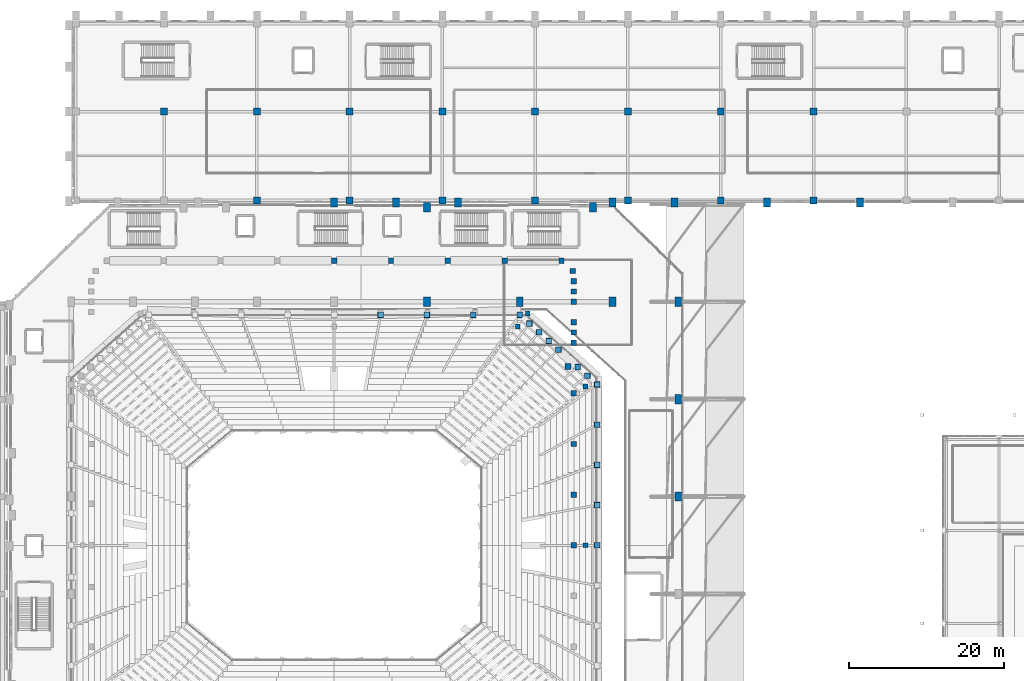
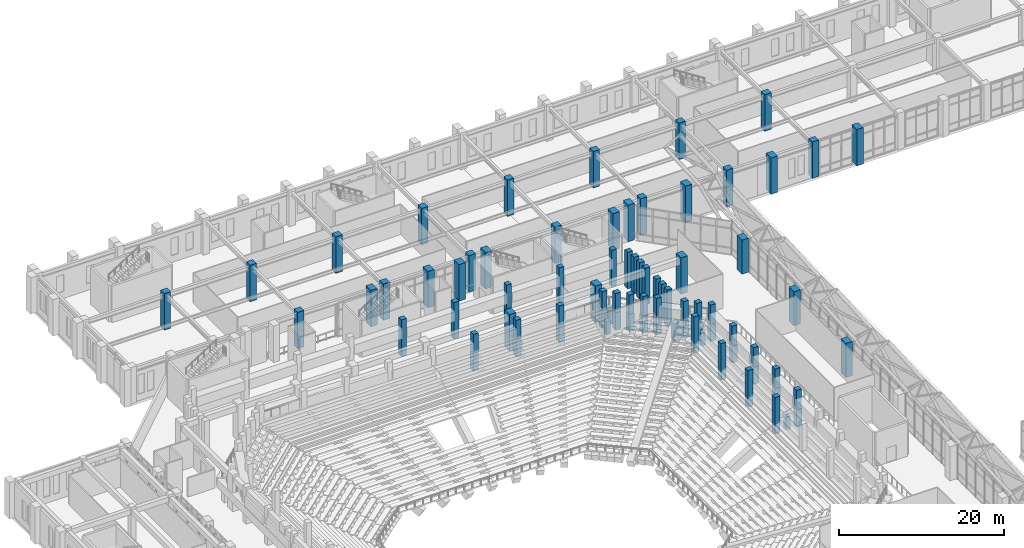
# One storey, part 7 of 159: 81 columns.
"""IFC4 building model written with IfcOpenShell, lengths in metres."""

from ifc_helpers import new_model, si_unit, derived_unit, direction, frame, origin, origin_2d, place, context, subcontext, project, spatial, rectangle, extrude, material, material_profile, profile_set, type_object, element, save


model = new_model("IFC4")

# Units and contexts
model_context = context("Model", 3, precision=1e-05, world=origin(), true_north=direction((0.0, 1.0)))
body_context = subcontext(model_context, "Body", "Model", "MODEL_VIEW")
ifc_project = project(units=[si_unit("LENGTHUNIT", "METRE"), si_unit("AREAUNIT", "SQUARE_METRE"), si_unit("VOLUMEUNIT", "CUBIC_METRE"), si_unit("PLANEANGLEUNIT", "RADIAN"), si_unit("MASSUNIT", "GRAM", prefix="KILO"), derived_unit("THERMALTRANSMITTANCEUNIT", [(si_unit("MASSUNIT", "GRAM", prefix="KILO"), 1), (si_unit("TIMEUNIT", "SECOND"), -3), (si_unit("THERMODYNAMICTEMPERATUREUNIT", "KELVIN"), -1)])], contexts=[model_context])

# Site, building, storey
site_placement = place(None, origin())
site = spatial("IfcSite", under=ifc_project, at=site_placement, CompositionType="ELEMENT")
building_placement = place(site_placement, origin())
building = spatial("IfcBuilding", under=site, at=building_placement, Name="Valcora Ridge Arena", CompositionType="ELEMENT")
storey_placement = place(building_placement, frame((0.0, 0.0, 6.0)))
storey = spatial("IfcBuildingStorey", under=building, at=storey_placement, Name="L01", CompositionType="ELEMENT", Elevation=6.0)

# Columns
ifc_material_1 = material(Name="Bush-hammered Andean travertine architectural concrete C45/55", Category="masonry")
ifc_material_profile_1 = material_profile(ifc_material_1, rectangle(XDim=0.89990234375, YDim=1.199951171875, at=origin_2d()), Name="RC 900x1200")
ifc_profile_set_1 = profile_set([ifc_material_profile_1], Name="Bush-hammered Andean travertine architectural concrete C45/55")
column_type_1 = type_object("IfcColumnType", Name="TY-COLUMN-C-BUTT-1200", PredefinedType="PILASTER", material=ifc_profile_set_1)
for number, where, z_axis, x_axis, name in (
    (1, (70.0, 107.800048828125, 0.0), (0.0, 0.0, 1.0), (1.0, 0.0, 0.0), "C-BUTT-1200 COL-C-BUTT-1200-0027"),
    (2, (91.5, 107.800048828125, 0.0), (0.0, 0.0, 1.0), (1.0, 0.0, 0.0), "C-BUTT-1200 COL-C-BUTT-1200-0031"),
    (3, (58.0, 108.419921875, 0.0), (0.0, 0.0, 1.0), (1.0, 0.0, 0.0), "C-BUTT-1200 COL-C-BUTT-1200-0337"),
    (4, (66.0, 108.419921875, 0.0), (0.0, 0.0, 1.0), (1.0, 0.0, 0.0), "C-BUTT-1200 COL-C-BUTT-1200-0341"),
    (5, (74.0, 108.419921875, 0.0), (0.0, 0.0, 1.0), (1.0, 0.0, 0.0), "C-BUTT-1200 COL-C-BUTT-1200-0345"),
    (6, (94.0, 108.419921875, 0.0), (0.0, 0.0, 1.0), (1.0, 0.0, 0.0), "C-BUTT-1200 COL-C-BUTT-1200-0349"),
    (7, (102.0, 108.419921875, 0.0), (0.0, 0.0, 1.0), (1.0, 0.0, 0.0), "C-BUTT-1200 COL-C-BUTT-1200-0353"),
    (8, (114.0, 108.419921875, 0.0), (0.0, 0.0, 1.0), (1.0, 0.0, 0.0), "C-BUTT-1200 COL-C-BUTT-1200-0357"),
    (9, (126.0, 108.419921875, 0.0), (0.0, 0.0, 1.0), (1.0, 0.0, 0.0), "C-BUTT-1200 COL-C-BUTT-1200-0361"),
):
    element("IfcColumn", number, at=place(storey_placement, frame(where, z_axis=z_axis, x_axis=x_axis)), inside=storey, type_object=column_type_1, Name=name, PredefinedType="PILASTER", context=body_context, shape_type="SweptSolid", body=[
        extrude(rectangle(XDim=0.89990234375, YDim=1.199951171875, at=origin_2d()), origin(), (0.0, 0.0, 1.0), 5.39990234375),
    ])
ifc_material_2 = material(Name="Concrete C40/50", Category="concrete")
ifc_material_profile_2 = material_profile(ifc_material_2, rectangle(XDim=0.89990234375, YDim=1.199951171875, at=origin_2d()), Name="RC 900x1200")
ifc_profile_set_2 = profile_set([ifc_material_profile_2], Name="Concrete C40/50")
column_type_2 = type_object("IfcColumnType", Name="TY-COLUMN-C-RC900", PredefinedType="COLUMN", material=ifc_profile_set_2)
for number, where, z_axis, x_axis, name in (
    (10, (70.0, 95.60009765625, 0.0), (0.0, 0.0, 1.0), (1.0, 0.0, 0.0), "C-RC900 COL-C-RC900-0031"),
    (11, (82.0, 95.60009765625, 0.0), (0.0, 0.0, 1.0), (1.0, 0.0, 0.0), "C-RC900 COL-C-RC900-0035"),
    (12, (94.0, 95.60009765625, 0.0), (0.0, 0.0, 1.0), (1.0, 0.0, 0.0), "C-RC900 COL-C-RC900-0039"),
):
    element("IfcColumn", number, at=place(storey_placement, frame(where, z_axis=z_axis, x_axis=x_axis)), inside=storey, type_object=column_type_2, Name=name, PredefinedType="COLUMN", context=body_context, shape_type="SweptSolid", body=[
        extrude(rectangle(XDim=0.89990234375, YDim=1.199951171875, at=origin_2d()), origin(), (0.0, 0.0, 1.0), 5.39990234375),
    ])
for number, where, z_axis, x_axis, name in (
    (13, (102.5, 70.39990234375, 0.0), (0.0, 0.0, 1.0), (1.0, 0.0, 0.0), "C-RC900 COL-C-RC900-0044"),
    (14, (102.5, 83.0, 0.0), (0.0, 0.0, 1.0), (1.0, 0.0, 0.0), "C-RC900 COL-C-RC900-0045"),
    (15, (102.5, 95.60009765625, 0.0), (0.0, 0.0, 1.0), (1.0, 0.0, 0.0), "C-RC900 COL-C-RC900-0046"),
):
    element("IfcColumn", number, at=place(storey_placement, frame(where, z_axis=z_axis, x_axis=x_axis)), inside=storey, type_object=column_type_2, Name=name, PredefinedType="COLUMN", context=body_context, shape_type="SweptSolid", body=[
        extrude(rectangle(XDim=0.89990234375, YDim=1.199951171875, at=origin_2d()), origin(), (0.0, 0.0, 1.0), 5.0400390625),
    ])
ifc_material_profile_3 = material_profile(ifc_material_2, rectangle(XDim=0.89990234375, YDim=0.89990234375, at=origin_2d()), Name="RC 900x900")
ifc_profile_set_3 = profile_set([ifc_material_profile_3], Name="Concrete C40/50")
column_type_3 = type_object("IfcColumnType", Name="TY-COLUMN-C-RC900B", PredefinedType="COLUMN", material=ifc_profile_set_3)
for number, where, z_axis, x_axis, name in (
    (16, (36.0, 120.199951171875, 0.0), (0.0, 0.0, 1.0), (1.0, 0.0, 0.0), "C-RC900B COL-C-RC900B-0015"),
    (17, (48.0, 108.699951171875, 0.0), (0.0, 0.0, 1.0), (1.0, 0.0, 0.0), "C-RC900B COL-C-RC900B-0021"),
    (18, (48.0, 120.199951171875, 0.0), (0.0, 0.0, 1.0), (1.0, 0.0, 0.0), "C-RC900B COL-C-RC900B-0024"),
    (19, (60.0, 108.699951171875, 0.0), (0.0, 0.0, 1.0), (1.0, 0.0, 0.0), "C-RC900B COL-C-RC900B-0030"),
    (20, (60.0, 120.199951171875, 0.0), (0.0, 0.0, 1.0), (1.0, 0.0, 0.0), "C-RC900B COL-C-RC900B-0033"),
    (21, (72.0, 108.699951171875, 0.0), (0.0, 0.0, 1.0), (1.0, 0.0, 0.0), "C-RC900B COL-C-RC900B-0039"),
    (22, (72.0, 120.199951171875, 0.0), (0.0, 0.0, 1.0), (1.0, 0.0, 0.0), "C-RC900B COL-C-RC900B-0042"),
    (23, (84.0, 108.699951171875, 0.0), (0.0, 0.0, 1.0), (1.0, 0.0, 0.0), "C-RC900B COL-C-RC900B-0048"),
    (24, (84.0, 120.199951171875, 0.0), (0.0, 0.0, 1.0), (1.0, 0.0, 0.0), "C-RC900B COL-C-RC900B-0051"),
    (25, (96.0, 108.699951171875, 0.0), (0.0, 0.0, 1.0), (1.0, 0.0, 0.0), "C-RC900B COL-C-RC900B-0057"),
    (26, (96.0, 120.199951171875, 0.0), (0.0, 0.0, 1.0), (1.0, 0.0, 0.0), "C-RC900B COL-C-RC900B-0060"),
    (27, (108.0, 108.699951171875, 0.0), (0.0, 0.0, 1.0), (1.0, 0.0, 0.0), "C-RC900B COL-C-RC900B-0066"),
    (28, (108.0, 120.199951171875, 0.0), (0.0, 0.0, 1.0), (1.0, 0.0, 0.0), "C-RC900B COL-C-RC900B-0069"),
    (29, (120.0, 108.699951171875, 0.0), (0.0, 0.0, 1.0), (1.0, 0.0, 0.0), "C-RC900B COL-C-RC900B-0075"),
    (30, (120.0, 120.199951171875, 0.0), (0.0, 0.0, 1.0), (1.0, 0.0, 0.0), "C-RC900B COL-C-RC900B-0078"),
):
    element("IfcColumn", number, at=place(storey_placement, frame(where, z_axis=z_axis, x_axis=x_axis)), inside=storey, type_object=column_type_3, Name=name, PredefinedType="COLUMN", context=body_context, shape_type="SweptSolid", body=[
        extrude(rectangle(XDim=0.89990234375, YDim=0.89990234375, at=origin_2d()), origin(), (0.0, 0.0, 1.0), 5.39990234375),
    ])
ifc_material_profile_4 = material_profile(ifc_material_2, rectangle(XDim=0.60009765625, YDim=0.60009765625, at=origin_2d()), Name="RC 600x600")
ifc_profile_set_4 = profile_set([ifc_material_profile_4], Name="Concrete C40/50")
column_type_4 = type_object("IfcColumnType", Name="TY-COLUMN-C-RKR600I", PredefinedType="COLUMN", material=ifc_profile_set_4)
for number, where, z_axis, x_axis, name in (
    (31, (90.5, 64.10009765625, 0.0), (0.0, 0.0, 1.0), (1.0, 0.0, 0.0), "C-RKR600I COL-R2-C-RKR600I-0042"),
    (32, (90.5, 84.6298828125, 0.0), (0.0, 0.0, 1.0), (1.0, 0.0, 0.0), "C-RKR600I COL-R2-C-RKR600I-0044"),
    (33, (81.72998046875, 92.39990234375, 0.0), (0.0, 0.0, 1.0), (1.0, 0.0, 0.0), "C-RKR600I COL-R2-C-RKR600I-0046"),
):
    element("IfcColumn", number, at=place(storey_placement, frame(where, z_axis=z_axis, x_axis=x_axis)), inside=storey, type_object=column_type_4, Name=name, PredefinedType="COLUMN", context=body_context, shape_type="SweptSolid", body=[
        extrude(rectangle(XDim=0.60009765625, YDim=0.60009765625, at=origin_2d()), origin(), (0.0, 0.0, 1.0), 1.89501953125),
    ])
column_placement = place(storey_placement, frame((83.040283203125, 94.080078125, 0.0), z_axis=(0.0, 0.0, 1.0), x_axis=(1.0, 0.0, 0.0)))
element("IfcColumn", 34, at=column_placement, inside=storey, type_object=column_type_4, Name="C-RKR600I COL-R2-C-RKR600I-0062", PredefinedType="COLUMN", context=body_context, shape_type="SweptSolid", body=[
    extrude(rectangle(XDim=0.60009765625, YDim=0.60009765625, at=origin_2d()), origin(), (0.0, 0.0, 1.0), 2.159912109375),
])
ifc_material_profile_5 = material_profile(ifc_material_2, rectangle(XDim=0.75, YDim=0.75, at=origin_2d()), Name="RC 750x750")
ifc_profile_set_5 = profile_set([ifc_material_profile_5], Name="Concrete C40/50")
column_type_5 = type_object("IfcColumnType", Name="TY-COLUMN-C-RKR750U", PredefinedType="COLUMN", material=ifc_profile_set_5)
for number, where, z_axis, x_axis, name in (
    (35, (92.0, 64.10009765625, 0.0), (0.0, 0.0, 1.0), (1.0, 0.0, 0.0), "C-RKR750U COL-RK-C-RKR750U-0020"),
    (36, (92.0, 69.300048828125, 0.0), (0.0, 0.0, 1.0), (1.0, 0.0, 0.0), "C-RKR750U COL-RK-C-RKR750U-0021"),
    (37, (92.0, 74.5, 0.0), (0.0, 0.0, 1.0), (1.0, 0.0, 0.0), "C-RKR750U COL-RK-C-RKR750U-0022"),
    (38, (92.0, 79.699951171875, 0.0), (0.0, 0.0, 1.0), (1.0, 0.0, 0.0), "C-RKR750U COL-RK-C-RKR750U-0023"),
    (39, (92.0, 84.89990234375, 0.0), (0.0, 0.0, 1.0), (1.0, 0.0, 0.0), "C-RKR750U COL-RK-C-RKR750U-0024"),
    (40, (90.75, 86.02490234375, 0.0), (0.0, 0.0, 1.0), (1.0, 0.0, 0.0), "C-RKR750U COL-RK-C-RKR750U-0025"),
    (41, (89.5, 87.14990234375, 0.0), (0.0, 0.0, 1.0), (1.0, 0.0, 0.0), "C-RKR750U COL-RK-C-RKR750U-0026"),
    (42, (87.0, 89.39990234375, 0.0), (0.0, 0.0, 1.0), (1.0, 0.0, 0.0), "C-RKR750U COL-RK-C-RKR750U-0027"),
    (43, (85.75, 90.52490234375, 0.0), (0.0, 0.0, 1.0), (1.0, 0.0, 0.0), "C-RKR750U COL-RK-C-RKR750U-0028"),
    (44, (84.5, 91.64990234375, 0.0), (0.0, 0.0, 1.0), (1.0, 0.0, 0.0), "C-RKR750U COL-RK-C-RKR750U-0029"),
    (45, (83.25, 92.77490234375, 0.0), (0.0, 0.0, 1.0), (1.0, 0.0, 0.0), "C-RKR750U COL-RK-C-RKR750U-0030"),
    (46, (82.0, 93.89990234375, 0.0), (0.0, 0.0, 1.0), (1.0, 0.0, 0.0), "C-RKR750U COL-RK-C-RKR750U-0031"),
    (47, (76.0, 93.89990234375, 0.0), (0.0, 0.0, 1.0), (1.0, 0.0, 0.0), "C-RKR750U COL-RK-C-RKR750U-0032"),
    (48, (70.0, 93.89990234375, 0.0), (0.0, 0.0, 1.0), (1.0, 0.0, 0.0), "C-RKR750U COL-RK-C-RKR750U-0033"),
    (49, (64.0, 93.89990234375, 0.0), (0.0, 0.0, 1.0), (1.0, 0.0, 0.0), "C-RKR750U COL-RK-C-RKR750U-0034"),
    (50, (88.25, 87.22509765625, 0.0), (0.0, 0.0, 1.0), (1.0, 0.0, 0.0), "C-RKR750U COL-RKN-C-RKR750U-0002"),
):
    element("IfcColumn", number, at=place(storey_placement, frame(where, z_axis=z_axis, x_axis=x_axis)), inside=storey, type_object=column_type_5, Name=name, PredefinedType="COLUMN", context=body_context, shape_type="SweptSolid", body=[
        extrude(rectangle(XDim=0.75, YDim=0.75, at=origin_2d()), origin(), (0.0, 0.0, 1.0), 2.550048828125),
    ])
ifc_material_profile_6 = material_profile(ifc_material_2, rectangle(XDim=0.699951171875, YDim=0.699951171875, at=origin_2d()), Name="RC 700x700")
ifc_profile_set_6 = profile_set([ifc_material_profile_6], Name="Concrete C40/50")
column_type_6 = type_object("IfcColumnType", Name="TY-COLUMN-C-RKRU700B", PredefinedType="COLUMN", material=ifc_profile_set_6)
for number, where, z_axis, x_axis, name in (
    (51, (89.0, 64.10009765625, 0.0), (0.0, 0.0, 1.0), (1.0, 0.0, 0.0), "C-RKRU700B COL-RK-C-RKRU700B-0098"),
    (52, (89.0, 70.64990234375, 0.0), (0.0, 0.0, 1.0), (1.0, 0.0, 0.0), "C-RKRU700B COL-RK-C-RKRU700B-0103"),
    (53, (89.0, 77.199951171875, 0.0), (0.0, 0.0, 1.0), (1.0, 0.0, 0.0), "C-RKRU700B COL-RK-C-RKRU700B-0108"),
    (54, (89.0, 83.75, 0.0), (0.0, 0.0, 1.0), (1.0, 0.0, 0.0), "C-RKRU700B COL-RK-C-RKRU700B-0113"),
    (55, (89.0, 90.300048828125, 0.0), (0.0, 0.0, 1.0), (1.0, 0.0, 0.0), "C-RKRU700B COL-RK-C-RKRU700B-0118"),
    (56, (89.0, 91.625, 0.0), (0.0, 0.0, 1.0), (1.0, 0.0, 0.0), "C-RKRU700B COL-RK-C-RKRU700B-0123"),
    (57, (89.0, 92.949951171875, 0.0), (0.0, 0.0, 1.0), (1.0, 0.0, 0.0), "C-RKRU700B COL-RK-C-RKRU700B-0128"),
    (58, (89.0, 95.60009765625, 0.0), (0.0, 0.0, 1.0), (1.0, 0.0, 0.0), "C-RKRU700B COL-RK-C-RKRU700B-0133"),
    (59, (89.0, 96.925048828125, 0.0), (0.0, 0.0, 1.0), (1.0, 0.0, 0.0), "C-RKRU700B COL-RK-C-RKRU700B-0138"),
    (60, (89.0, 98.25, 0.0), (0.0, 0.0, 1.0), (1.0, 0.0, 0.0), "C-RKRU700B COL-RK-C-RKRU700B-0143"),
    (61, (88.85009765625, 99.574951171875, 0.0), (0.0, 0.0, 1.0), (1.0, 0.0, 0.0), "C-RKRU700B COL-RK-C-RKRU700B-0148"),
    (62, (87.39990234375, 100.89990234375, 0.0), (0.0, 0.0, 1.0), (1.0, 0.0, 0.0), "C-RKRU700B COL-RK-C-RKRU700B-0153"),
    (63, (80.050048828125, 100.89990234375, 0.0), (0.0, 0.0, 1.0), (1.0, 0.0, 0.0), "C-RKRU700B COL-RK-C-RKRU700B-0158"),
    (64, (72.699951171875, 100.89990234375, 0.0), (0.0, 0.0, 1.0), (1.0, 0.0, 0.0), "C-RKRU700B COL-RK-C-RKRU700B-0163"),
    (65, (65.35009765625, 100.89990234375, 0.0), (0.0, 0.0, 1.0), (1.0, 0.0, 0.0), "C-RKRU700B COL-RK-C-RKRU700B-0168"),
    (66, (58.0, 100.89990234375, 0.0), (0.0, 0.0, 1.0), (1.0, 0.0, 0.0), "C-RKRU700B COL-RK-C-RKRU700B-0173"),
):
    element("IfcColumn", number, at=place(storey_placement, frame(where, z_axis=z_axis, x_axis=x_axis)), inside=storey, type_object=column_type_6, Name=name, PredefinedType="COLUMN", context=body_context, shape_type="SweptSolid", body=[
        extrude(rectangle(XDim=0.699951171875, YDim=0.699951171875, at=origin_2d()), origin(), (0.0, 0.0, 1.0), 5.39990234375),
    ])
ifc_material_profile_7 = material_profile(ifc_material_2, rectangle(XDim=0.699951171875, YDim=0.699951171875, at=origin_2d()), Name="RC 700x700")
ifc_profile_set_7 = profile_set([ifc_material_profile_7], Name="Concrete C40/50")
column_type_7 = type_object("IfcColumnType", Name="TY-COLUMN-C-RKRU700M", PredefinedType="COLUMN", material=ifc_profile_set_7)
for number, where, z_axis, x_axis, name in (
    (67, (92.0, 64.10009765625, 2.550048828125), (0.0, 0.0, 1.0), (1.0, 0.0, 0.0), "C-RKRU700M COL-RK-C-RKRU700M-0020"),
    (68, (92.0, 69.300048828125, 2.550048828125), (0.0, 0.0, 1.0), (1.0, 0.0, 0.0), "C-RKRU700M COL-RK-C-RKRU700M-0021"),
    (69, (92.0, 74.5, 2.550048828125), (0.0, 0.0, 1.0), (1.0, 0.0, 0.0), "C-RKRU700M COL-RK-C-RKRU700M-0022"),
    (70, (92.0, 79.699951171875, 2.550048828125), (0.0, 0.0, 1.0), (1.0, 0.0, 0.0), "C-RKRU700M COL-RK-C-RKRU700M-0023"),
    (71, (92.0, 84.89990234375, 2.550048828125), (0.0, 0.0, 1.0), (1.0, 0.0, 0.0), "C-RKRU700M COL-RK-C-RKRU700M-0024"),
    (72, (90.75, 86.02490234375, 2.550048828125), (0.0, 0.0, 1.0), (1.0, 0.0, 0.0), "C-RKRU700M COL-RK-C-RKRU700M-0025"),
    (73, (89.5, 87.14990234375, 2.550048828125), (0.0, 0.0, 1.0), (1.0, 0.0, 0.0), "C-RKRU700M COL-RK-C-RKRU700M-0026"),
    (74, (87.0, 89.39990234375, 2.550048828125), (0.0, 0.0, 1.0), (1.0, 0.0, 0.0), "C-RKRU700M COL-RK-C-RKRU700M-0027"),
    (75, (85.75, 90.52490234375, 2.550048828125), (0.0, 0.0, 1.0), (1.0, 0.0, 0.0), "C-RKRU700M COL-RK-C-RKRU700M-0028"),
    (76, (84.5, 91.64990234375, 2.550048828125), (0.0, 0.0, 1.0), (1.0, 0.0, 0.0), "C-RKRU700M COL-RK-C-RKRU700M-0029"),
    (77, (83.25, 92.77490234375, 2.550048828125), (0.0, 0.0, 1.0), (1.0, 0.0, 0.0), "C-RKRU700M COL-RK-C-RKRU700M-0030"),
    (78, (82.0, 93.89990234375, 2.550048828125), (0.0, 0.0, 1.0), (1.0, 0.0, 0.0), "C-RKRU700M COL-RK-C-RKRU700M-0031"),
    (79, (76.0, 93.89990234375, 2.550048828125), (0.0, 0.0, 1.0), (1.0, 0.0, 0.0), "C-RKRU700M COL-RK-C-RKRU700M-0032"),
    (80, (70.0, 93.89990234375, 2.550048828125), (0.0, 0.0, 1.0), (1.0, 0.0, 0.0), "C-RKRU700M COL-RK-C-RKRU700M-0033"),
    (81, (64.0, 93.89990234375, 2.550048828125), (0.0, 0.0, 1.0), (1.0, 0.0, 0.0), "C-RKRU700M COL-RK-C-RKRU700M-0034"),
):
    element("IfcColumn", number, at=place(storey_placement, frame(where, z_axis=z_axis, x_axis=x_axis)), inside=storey, type_object=column_type_7, Name=name, PredefinedType="COLUMN", context=body_context, shape_type="SweptSolid", body=[
        extrude(rectangle(XDim=0.699951171875, YDim=0.699951171875, at=origin_2d()), origin(), (0.0, 0.0, 1.0), 2.849853515625),
    ])

save(model, "model.ifc")
